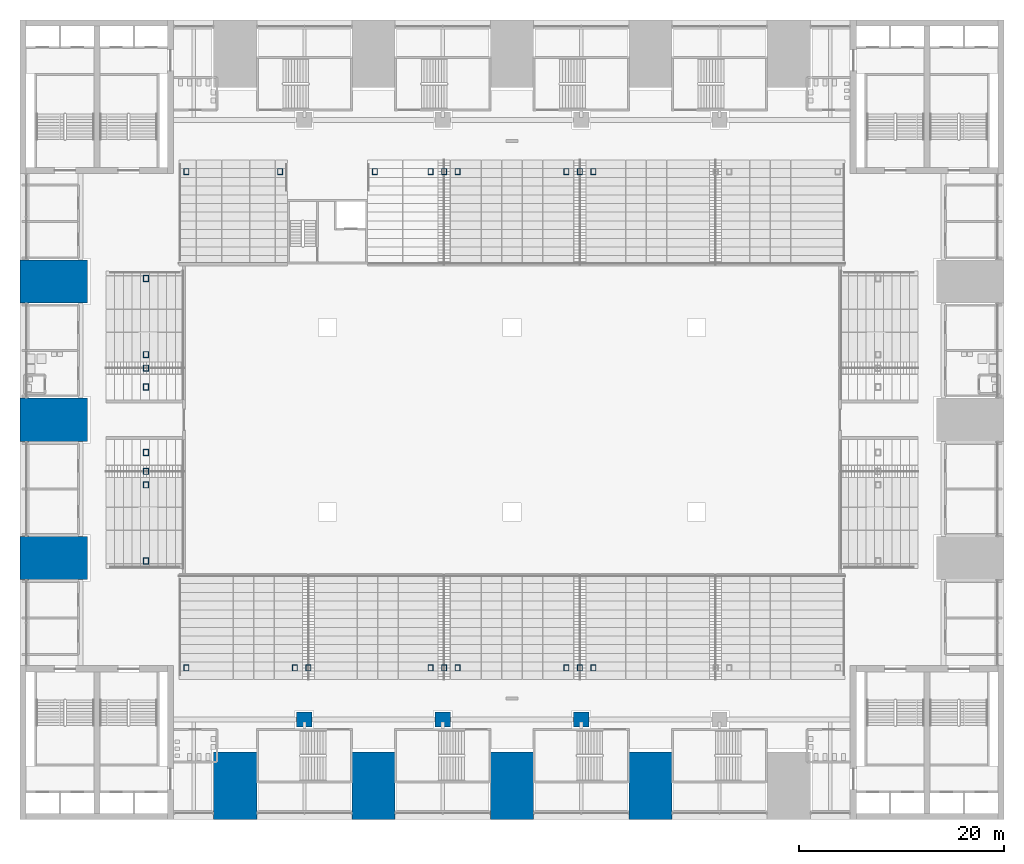
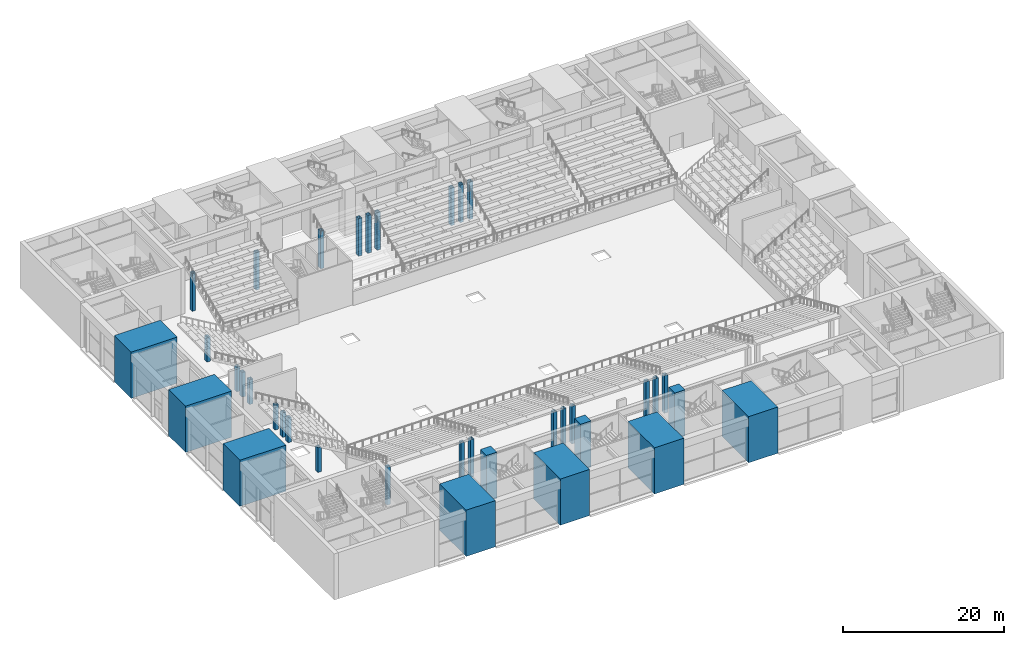
# One storey, part 1 of 62: 36 columns.
"""IFC4 building model written with IfcOpenShell, lengths in metres."""

from ifc_helpers import new_model, si_unit, direction, frame, origin, origin_2d, place, context, subcontext, project, spatial, rectangle, hollow_rectangle, extrude, material, material_profile, profile_set, type_object, element, save


model = new_model("IFC4")

# Units and contexts
model_context = context("Model", 3, precision=1e-05, world=origin(), true_north=direction((0.0, 1.0)))
body_context = subcontext(model_context, "Body", "Model", "MODEL_VIEW")
ifc_project = project(units=[si_unit("LENGTHUNIT", "METRE"), si_unit("AREAUNIT", "SQUARE_METRE"), si_unit("VOLUMEUNIT", "CUBIC_METRE"), si_unit("PLANEANGLEUNIT", "RADIAN"), si_unit("MASSUNIT", "GRAM", prefix="KILO")], contexts=[model_context])

# Site, building, storey
site_placement = place(None, origin())
site = spatial("IfcSite", under=ifc_project, at=site_placement, CompositionType="ELEMENT")
building_placement = place(site_placement, origin())
building = spatial("IfcBuilding", under=site, at=building_placement, Name="Corbelhall Arena Tower", CompositionType="ELEMENT")
storey_placement = place(building_placement, frame((0.0, 0.0, 12.0)))
storey = spatial("IfcBuildingStorey", under=building, at=storey_placement, Name="L01", CompositionType="ELEMENT", Elevation=12.0)

# Columns
ifc_material_1 = material(Name="Steel ASTM A572 Gr50", Category="steel")
ifc_material_profile_1 = material_profile(ifc_material_1, hollow_rectangle(XDim=0.5, YDim=0.60009765625, WallThickness=0.030029296875, at=origin_2d()))
ifc_profile_set_1 = profile_set([ifc_material_profile_1], Name="Steel ASTM A572 Gr50")
column_type_1 = type_object("IfcColumnType", Name="AR-TIER-POST", PredefinedType="COLUMN", material=ifc_profile_set_1)
for number, where, z_axis, x_axis, name in (
    (1, (-31.780029296875, 24.199951171875, 0.0), (0.0, 0.0, 1.0), (1.0, 0.0, 0.0), "Tier post LNA"),
    (2, (-22.6201171875, 24.199951171875, 0.0), (0.0, 0.0, 1.0), (1.0, 0.0, 0.0), "Tier post LNA"),
    (3, (-13.3798828125, 24.199951171875, 0.0), (0.0, 0.0, 1.0), (1.0, 0.0, 0.0), "Tier post LNBR"),
    (4, (-7.93994140625, 24.199951171875, 0.0), (0.0, 0.0, 1.0), (1.0, 0.0, 0.0), "Tier post LNBR"),
    (5, (-5.300048828125, 24.199951171875, 0.0), (0.0, 0.0, 1.0), (1.0, 0.0, 0.0), "Tier post LNC"),
    (6, (5.300048828125, 24.199951171875, 0.0), (0.0, 0.0, 1.0), (1.0, 0.0, 0.0), "Tier post LNC"),
    (7, (7.93994140625, 24.199951171875, 0.0), (0.0, 0.0, 1.0), (1.0, 0.0, 0.0), "Tier post LND"),
    (8, (-6.6201171875, 24.199951171875, 0.0), (0.0, 0.0, 1.0), (1.0, 0.0, 0.0), "Tier post LN-AIS2"),
    (9, (6.6201171875, 24.199951171875, 0.0), (0.0, 0.0, 1.0), (1.0, 0.0, 0.0), "Tier post LN-AIS3"),
    (10, (7.93994140625, -24.199951171875, 0.0), (0.0, 0.0, 1.0), (1.0, 0.0, 0.0), "Tier post LSB"),
    (11, (5.300048828125, -24.199951171875, 0.0), (0.0, 0.0, 1.0), (1.0, 0.0, 0.0), "Tier post LSC"),
    (12, (-5.300048828125, -24.199951171875, 0.0), (0.0, 0.0, 1.0), (1.0, 0.0, 0.0), "Tier post LSC"),
    (13, (-7.93994140625, -24.199951171875, 0.0), (0.0, 0.0, 1.0), (1.0, 0.0, 0.0), "Tier post LSD"),
    (14, (-21.179931640625, -24.199951171875, 0.0), (0.0, 0.0, 1.0), (1.0, 0.0, 0.0), "Tier post LSE"),
    (15, (-31.780029296875, -24.199951171875, 0.0), (0.0, 0.0, 1.0), (1.0, 0.0, 0.0), "Tier post LSE"),
    (16, (6.6201171875, -24.199951171875, 0.0), (0.0, 0.0, 1.0), (1.0, 0.0, 0.0), "Tier post LS-AIS2"),
    (17, (-6.6201171875, -24.199951171875, 0.0), (0.0, 0.0, 1.0), (1.0, 0.0, 0.0), "Tier post LS-AIS3"),
    (18, (-19.860107421875, -24.199951171875, 0.0), (0.0, 0.0, 1.0), (1.0, 0.0, 0.0), "Tier post LS-AIS4"),
):
    element("IfcColumn", number, at=place(storey_placement, frame(where, z_axis=z_axis, x_axis=x_axis)), inside=storey, type_object=column_type_1, Name=name, PredefinedType="COLUMN", context=body_context, shape_type="SweptSolid", body=[
        extrude(hollow_rectangle(XDim=0.5, YDim=0.60009765625, WallThickness=0.030029296875, at=origin_2d()), origin(), (0.0, 0.0, 1.0), 5.7119140625),
    ])
for number, where, z_axis, x_axis, name in (
    (19, (-35.705078125, 13.780029296875, 0.0), (0.0, 0.0, 1.0), (1.0, 0.0, 0.0), "Tier post LWA"),
    (20, (-35.705078125, 6.353271484375, 0.0), (0.0, 0.0, 1.0), (1.0, 0.0, 0.0), "Tier post LWA"),
    (21, (-35.705078125, 3.191650390625, 0.0), (0.0, 0.0, 1.0), (1.0, 0.0, 0.0), "Tier post LWB"),
    (22, (-35.705078125, -3.191650390625, 0.0), (0.0, 0.0, 1.0), (1.0, 0.0, 0.0), "Tier post LWBR"),
    (23, (-35.705078125, -6.353271484375, 0.0), (0.0, 0.0, 1.0), (1.0, 0.0, 0.0), "Tier post LWC"),
    (24, (-35.705078125, -13.780029296875, 0.0), (0.0, 0.0, 1.0), (1.0, 0.0, 0.0), "Tier post LWC"),
    (25, (-35.705078125, 5.033203125, 0.0), (0.0, 0.0, 1.0), (1.0, 0.0, 0.0), "Tier post LW-AIS1"),
    (26, (-35.705078125, -5.033203125, 0.0), (0.0, 0.0, 1.0), (1.0, 0.0, 0.0), "Tier post LW-AIS2"),
):
    element("IfcColumn", number, at=place(storey_placement, frame(where, z_axis=z_axis, x_axis=x_axis)), inside=storey, type_object=column_type_1, Name=name, PredefinedType="COLUMN", context=body_context, shape_type="SweptSolid", body=[
        extrude(hollow_rectangle(XDim=0.5, YDim=0.60009765625, WallThickness=0.030029296875, at=origin_2d()), origin(), (0.0, 0.0, 1.0), 3.724365234375),
    ])
ifc_material_2 = material(Name="Concrete C80/95", Category="concrete")
ifc_material_profile_2 = material_profile(ifc_material_2, rectangle(XDim=4.199951171875, YDim=6.60009765625, at=origin_2d()))
ifc_profile_set_2 = profile_set([ifc_material_profile_2], Name="Concrete C80/95")
column_type_2 = type_object("IfcColumnType", Name="PO-PIER-L01", PredefinedType="COLUMN", material=ifc_profile_set_2)
for number, where, z_axis, x_axis, name in (
    (27, (-27.0, -35.699951171875, 0.0), (0.0, 0.0, 1.0), (1.0, 0.0, 0.0), "PIER S-27.0 L01"),
    (28, (-13.5, -35.699951171875, 0.0), (0.0, 0.0, 1.0), (1.0, 0.0, 0.0), "PIER S-13.5 L01"),
    (29, (0.0, -35.699951171875, 0.0), (0.0, 0.0, 1.0), (1.0, 0.0, 0.0), "PIER S+0.0 L01"),
    (30, (13.5, -35.699951171875, 0.0), (0.0, 0.0, 1.0), (1.0, 0.0, 0.0), "PIER S+13.5 L01"),
    (31, (-44.699951171875, -13.5, 0.0), (0.0, 0.0, 1.0), (0.0, 1.0, 0.0), "PIER W-13.5 L01"),
    (32, (-44.699951171875, 0.0, 0.0), (0.0, 0.0, 1.0), (0.0, 1.0, 0.0), "PIER W+0.0 L01"),
    (33, (-44.699951171875, 13.5, 0.0), (0.0, 0.0, 1.0), (0.0, 1.0, 0.0), "PIER W+13.5 L01"),
):
    element("IfcColumn", number, at=place(storey_placement, frame(where, z_axis=z_axis, x_axis=x_axis)), inside=storey, type_object=column_type_2, Name=name, PredefinedType="COLUMN", context=body_context, shape_type="SweptSolid", body=[
        extrude(rectangle(XDim=4.199951171875, YDim=6.60009765625, at=origin_2d()), origin(), (0.0, 0.0, 1.0), 7.0),
    ])
ifc_material_profile_3 = material_profile(ifc_material_2, rectangle(XDim=1.5, YDim=1.5, at=origin_2d()))
ifc_profile_set_3 = profile_set([ifc_material_profile_3], Name="Concrete C80/95")
column_type_3 = type_object("IfcColumnType", Name="PO-RINGCOL-1500", PredefinedType="COLUMN", material=ifc_profile_set_3)
for number, where, z_axis, x_axis, name in (
    (34, (-20.25, -29.25, 0.0), (0.0, 0.0, 1.0), (1.0, 0.0, 0.0), "RING COLUMN -20.25 -29.25 L01"),
    (35, (-6.75, -29.25, 0.0), (0.0, 0.0, 1.0), (1.0, 0.0, 0.0), "RING COLUMN -6.75 -29.25 L01"),
    (36, (6.75, -29.25, 0.0), (0.0, 0.0, 1.0), (1.0, 0.0, 0.0), "RING COLUMN +6.75 -29.25 L01"),
):
    element("IfcColumn", number, at=place(storey_placement, frame(where, z_axis=z_axis, x_axis=x_axis)), inside=storey, type_object=column_type_3, Name=name, PredefinedType="COLUMN", context=body_context, shape_type="SweptSolid", body=[
        extrude(rectangle(XDim=1.5, YDim=1.5, at=origin_2d()), origin(), (0.0, 0.0, 1.0), 7.0),
    ])

save(model, "model.ifc")
